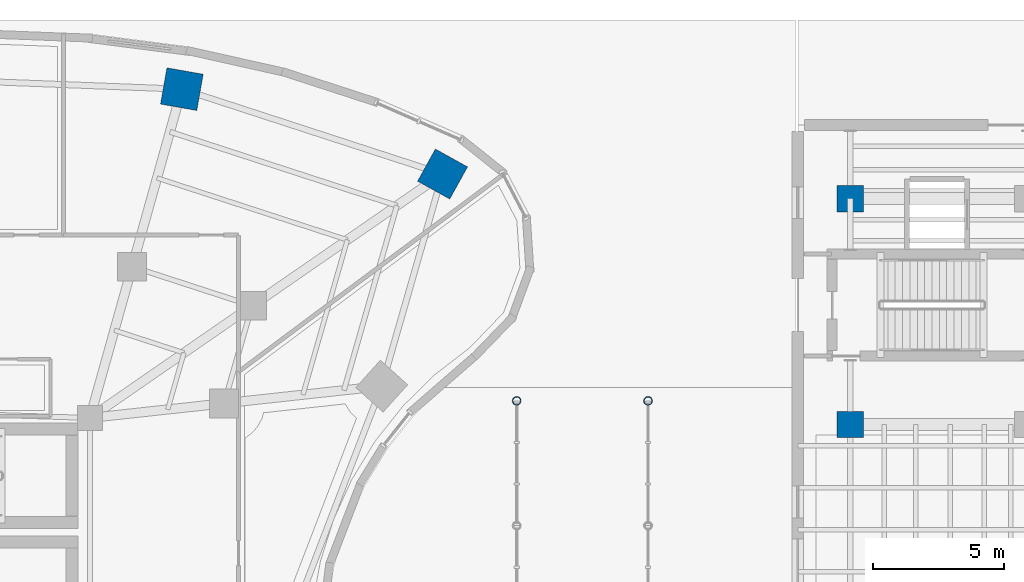
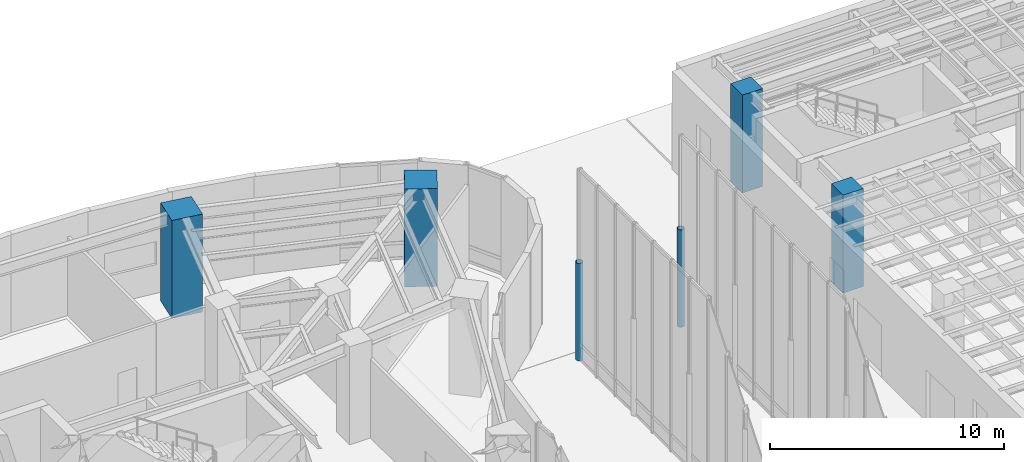
# One storey, part 4 of 28: 6 columns.
"""IFC4 building model written with IfcOpenShell, lengths in metres."""

from ifc_helpers import new_model, si_unit, direction, frame, origin, origin_2d, place, context, subcontext, project, spatial, rectangle, hollow_circle, extrude, material, material_profile, profile_set, type_object, element, save


model = new_model("IFC4")

# Units and contexts
model_context = context("Model", 3, precision=1e-05, world=origin(), true_north=direction((0.0, 1.0)))
body_context = subcontext(model_context, "Body", "Model", "MODEL_VIEW")
ifc_project = project(units=[si_unit("LENGTHUNIT", "METRE"), si_unit("AREAUNIT", "SQUARE_METRE"), si_unit("VOLUMEUNIT", "CUBIC_METRE"), si_unit("PLANEANGLEUNIT", "RADIAN"), si_unit("MASSUNIT", "GRAM", prefix="KILO")], contexts=[model_context])

# Site, building, storey
site_placement = place(None, origin())
site = spatial("IfcSite", under=ifc_project, at=site_placement, CompositionType="ELEMENT")
building_placement = place(site_placement, origin())
building = spatial("IfcBuilding", under=site, at=building_placement, Name="Korentha Bioscience Tower", CompositionType="ELEMENT")
storey_placement = place(building_placement, origin())
storey = spatial("IfcBuildingStorey", under=building, at=storey_placement, Name="L00", CompositionType="ELEMENT", Elevation=0.0)

# Columns
ifc_material_1 = material(Name="Steel S355", Category="steel")
ifc_material_profile_1 = material_profile(ifc_material_1, hollow_circle(Radius=0.161865234375, WallThickness=0.01611328125, at=origin_2d()), Name="Steel S355")
ifc_profile_set_1 = profile_set([ifc_material_profile_1], Name="Steel S355 (AC-01)")
column_type_1 = type_object("IfcColumnType", Name="Arcade Portal Column CHS 323.9x16", PredefinedType="COLUMN", material=ifc_profile_set_1)
for number, where, z_axis, x_axis, name in (
    (1, (58.800048828125, 36.5, -0.00048828125), (0.0, 0.0, 1.0), (1.0, 0.0, 0.0), "L00 Covered Arcade Column AC-05"),
    (2, (53.800048828125, 36.5, -0.00048828125), (0.0, 0.0, 1.0), (1.0, 0.0, 0.0), "L00 Arcade West Column ACW-05"),
):
    element("IfcColumn", number, at=place(storey_placement, frame(where, z_axis=z_axis, x_axis=x_axis)), inside=storey, type_object=column_type_1, Name=name, PredefinedType="COLUMN", context=body_context, shape_type="SweptSolid", body=[
        extrude(hollow_circle(Radius=0.161865234375, WallThickness=0.01611328125, at=origin_2d()), origin(), (0.0, 0.0, 1.0), 5.08056640625),
    ])
ifc_material_2 = material(Name="Concrete C80", Category="concrete")
ifc_material_profile_2 = material_profile(ifc_material_2, rectangle(XDim=1.39990234375, YDim=1.39990234375, at=origin_2d()), Name="Concrete C80")
ifc_profile_set_2 = profile_set([ifc_material_profile_2], Name="Concrete C80 (COL-P14)")
column_type_2 = type_object("IfcColumnType", Name="Perimeter Column RC 1400x1400", PredefinedType="COLUMN", material=ifc_profile_set_2)
for number, where, z_axis, x_axis, name in (
    (3, (50.977294921875, 45.135498046875, -0.00048828125), (0.0, 0.0, 1.0), (-0.874535078577, 0.484962262797, 0.0), "L00 Perimeter Column 01"),
    (4, (41.052490234375, 48.36669921875, -0.00048828125), (0.0, 0.0, 1.0), (-0.984868307662, 0.173304404339, 0.0), "L00 Perimeter Column 02"),
):
    element("IfcColumn", number, at=place(storey_placement, frame(where, z_axis=z_axis, x_axis=x_axis)), inside=storey, type_object=column_type_2, Name=name, PredefinedType="COLUMN", context=body_context, shape_type="SweptSolid", body=[
        extrude(rectangle(XDim=1.39990234375, YDim=1.39990234375, at=origin_2d()), origin(), (0.0, 0.0, 1.0), 5.10107421875),
    ])
ifc_material_3 = material(Name="Concrete C50", Category="concrete")
ifc_material_profile_3 = material_profile(ifc_material_3, rectangle(XDim=1.0, YDim=1.0, at=origin_2d()), Name="Concrete C50")
ifc_profile_set_3 = profile_set([ifc_material_profile_3], Name="Concrete C50 (TC-01)")
column_type_3 = type_object("IfcColumnType", Name="Theatre Primary Column RC 1000x1000", PredefinedType="COLUMN", material=ifc_profile_set_3)
for number, where, z_axis, x_axis, name in (
    (5, (66.5, 35.60009765625, 0.0), (0.0, 0.0, 1.0), (1.0, 0.0, 0.0), "L00 Theatre Column 1-4"),
    (6, (66.5, 44.199951171875, 0.0), (0.0, 0.0, 1.0), (1.0, 0.0, 0.0), "L00 Theatre Column 1-5"),
):
    element("IfcColumn", number, at=place(storey_placement, frame(where, z_axis=z_axis, x_axis=x_axis)), inside=storey, type_object=column_type_3, Name=name, PredefinedType="COLUMN", context=body_context, shape_type="SweptSolid", body=[
        extrude(rectangle(XDim=1.0, YDim=1.0, at=origin_2d()), origin(), (0.0, 0.0, 1.0), 5.10009765625),
    ])

save(model, "model.ifc")
